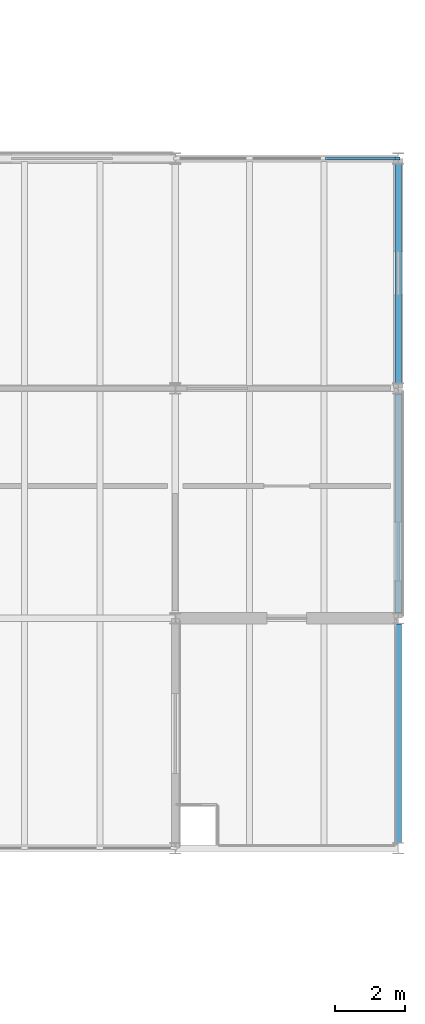
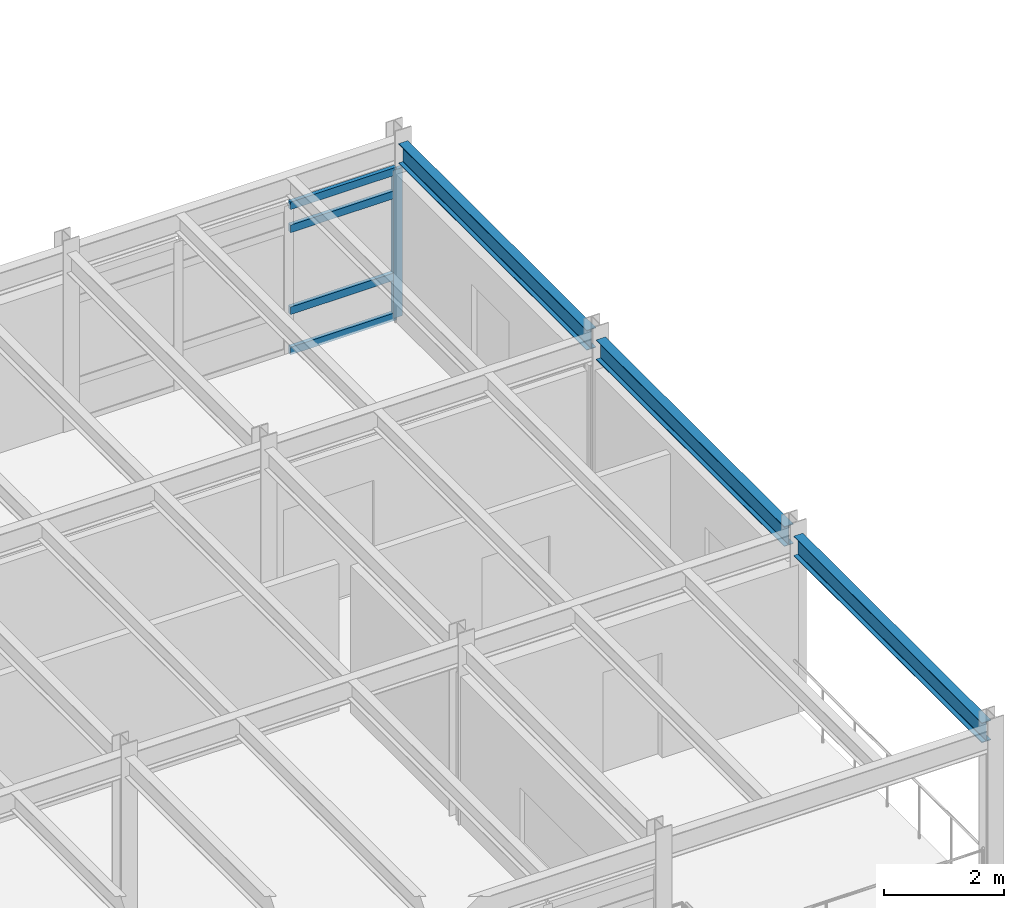
# One storey, part 25 of 49: 5 members, 3 beams, 1 element without a shape of its own.
"""IFC4 building model written with IfcOpenShell, lengths in metres."""

from ifc_helpers import new_model, si_unit, direction, frame, origin, origin_2d, place, context, subcontext, project, spatial, rectangle, i_section, extrude, material, layer, layer_set, material_profile, profile_set, type_object, element, aggregate, save


model = new_model("IFC4")

# Units and contexts
model_context = context("Model", 3, precision=1e-05, world=origin(), true_north=direction((0.0, 1.0)))
body_context = subcontext(model_context, "Body", "Model", "MODEL_VIEW")
ifc_project = project(units=[si_unit("LENGTHUNIT", "METRE"), si_unit("AREAUNIT", "SQUARE_METRE"), si_unit("VOLUMEUNIT", "CUBIC_METRE"), si_unit("PLANEANGLEUNIT", "RADIAN"), si_unit("MASSUNIT", "GRAM", prefix="KILO")], contexts=[model_context])

# Site, building, storey
site_placement = place(None, origin())
site = spatial("IfcSite", under=ifc_project, at=site_placement, CompositionType="ELEMENT")
building_placement = place(site_placement, origin())
building = spatial("IfcBuilding", under=site, at=building_placement, Name="Trelmorton Wharf Fire Station", CompositionType="ELEMENT")
storey_placement = place(building_placement, frame((0.0, 0.0, 9.60009765625)))
storey = spatial("IfcBuildingStorey", under=building, at=storey_placement, Name="L02", CompositionType="ELEMENT", Elevation=9.60009765625)

# Beams
ifc_material_1 = material(Name="Steel Grade 350", Category="steel")
ifc_material_profile_1 = material_profile(ifc_material_1, i_section(OverallWidth=0.177978515625, OverallDepth=0.406005859375, WebThickness=0.0078125, FlangeThickness=0.0126953125, FilletRadius=0.011474609375, at=origin_2d()), Name="410UB59.7")
ifc_profile_set_1 = profile_set([ifc_material_profile_1], Name="Steel Grade 350")
beam_type = type_object("IfcBeamType", Name="BM_410UB60", PredefinedType="BEAM", material=ifc_profile_set_1)
beam_placement = place(storey_placement, frame((162.39990234375, 7.95654296875, 3.427001953125), z_axis=(0.0, 1.0, 0.0), x_axis=(-1.0, 0.0, 0.0)))
element("IfcBeam", 1, at=beam_placement, inside=storey, type_object=beam_type, Name="BM-L02-0867", PredefinedType="BEAM", context=body_context, shape_type="SweptSolid", body=[
    extrude(i_section(OverallWidth=0.177978515625, OverallDepth=0.406005859375, WebThickness=0.0078125, FlangeThickness=0.0126953125, FilletRadius=0.011474609375, at=origin_2d()), origin(), (0.0, 0.0, 1.0), 6.286865234375),
])
for number, where, z_axis, x_axis, name in (
    (2, (162.39990234375, 14.556396484375, 3.427001953125), (0.0, 1.0, 0.0), (-1.0, 0.0, 0.0), "BM-L02-0868"),
    (3, (162.39990234375, 21.156494140625, 3.427001953125), (0.0, 1.0, 0.0), (-1.0, 0.0, 0.0), "BM-L02-0869"),
):
    element("IfcBeam", number, at=place(storey_placement, frame(where, z_axis=z_axis, x_axis=x_axis)), inside=storey, type_object=beam_type, Name=name, PredefinedType="BEAM", context=body_context, shape_type="SweptSolid", body=[
        extrude(i_section(OverallWidth=0.177978515625, OverallDepth=0.406005859375, WebThickness=0.0078125, FlangeThickness=0.0126953125, FilletRadius=0.011474609375, at=origin_2d()), origin(), (0.0, 0.0, 1.0), 6.287109375),
    ])

# Curtain wall, members
ifc_material_2 = material(Name="Anodised aluminium AW-6063", Category="aluminium")
ifc_layer = layer(ifc_material_2, 0.14990234375)
ifc_layer_set = layer_set([ifc_layer], Name="Anodised aluminium AW-6063")
curtain_wall_type = type_object("IfcCurtainWallType", Name="CW_UNIT_A", PredefinedType="USERDEFINED", material=ifc_layer_set)
curtain_wall_placement = place(storey_placement, origin())
curtain_wall = element("IfcCurtainWall", 4, at=curtain_wall_placement, inside=storey, type_object=curtain_wall_type, Name="CW-V5-L02-060", ObjectType="UNITISED CURTAIN WALL", PredefinedType="USERDEFINED")
ifc_material_profile_2 = material_profile(ifc_material_2, rectangle(XDim=0.074951171875, YDim=0.175048828125, at=origin_2d()), Name="ALU-75x175")
ifc_profile_set_2 = profile_set([ifc_material_profile_2], Name="Anodised aluminium AW-6063")
member_type_1 = type_object("IfcMemberType", Name="CWM_75x175", PredefinedType="MULLION", material=ifc_profile_set_2)
member_1_placement = place(storey_placement, frame((162.364990234375, 27.60009765625, 0.0), z_axis=(0.0, 0.0, 1.0), x_axis=(0.0, 1.0, 0.0)))
member_1 = element("IfcMember", 5, at=member_1_placement, type_object=member_type_1, Name="CW3 mullion 4", PredefinedType="MULLION", context=body_context, shape_type="SweptSolid", body=[
    extrude(rectangle(XDim=0.074951171875, YDim=0.175048828125, at=origin_2d()), origin(), (0.0, 0.0, 1.0), 3.02001953125),
])
ifc_material_profile_3 = material_profile(ifc_material_2, rectangle(XDim=0.074951171875, YDim=0.155029296875, at=origin_2d()), Name="ALU-75x155")
ifc_profile_set_3 = profile_set([ifc_material_profile_3], Name="Anodised aluminium AW-6063")
member_type_2 = type_object("IfcMemberType", Name="CWT_75x155", PredefinedType="USERDEFINED", material=ifc_profile_set_3)
member_2_placement = place(storey_placement, frame((160.294921875, 27.60009765625, 0.02978515625), z_axis=(1.0, 0.0, 0.0), x_axis=(0.0, 1.0, 0.0)))
member_2 = element("IfcMember", 6, at=member_2_placement, type_object=member_type_2, Name="CW3 transom 3.1", ObjectType="TRANSOM", PredefinedType="USERDEFINED", context=body_context, shape_type="SweptSolid", body=[
    extrude(rectangle(XDim=0.074951171875, YDim=0.155029296875, at=origin_2d()), origin(), (0.0, 0.0, 1.0), 2.0400390625),
])
member_3_placement = place(storey_placement, frame((160.294921875, 27.60009765625, 0.849853515625), z_axis=(1.0, 0.0, 0.0), x_axis=(0.0, 1.0, 0.0)))
member_3 = element("IfcMember", 7, at=member_3_placement, type_object=member_type_2, Name="CW3 transom 3.2", ObjectType="TRANSOM", PredefinedType="USERDEFINED", context=body_context, shape_type="SweptSolid", body=[
    extrude(rectangle(XDim=0.074951171875, YDim=0.155029296875, at=origin_2d()), origin(), (0.0, 0.0, 1.0), 2.0400390625),
])
member_4_placement = place(storey_placement, frame((160.294921875, 27.60009765625, 2.52001953125), z_axis=(1.0, 0.0, 0.0), x_axis=(0.0, 1.0, 0.0)))
member_4 = element("IfcMember", 8, at=member_4_placement, type_object=member_type_2, Name="CW3 transom 3.3", ObjectType="TRANSOM", PredefinedType="USERDEFINED", context=body_context, shape_type="SweptSolid", body=[
    extrude(rectangle(XDim=0.074951171875, YDim=0.155029296875, at=origin_2d()), origin(), (0.0, 0.0, 1.0), 2.0400390625),
])
member_5_placement = place(storey_placement, frame((160.294921875, 27.60009765625, 2.989990234375), z_axis=(1.0, 0.0, 0.0), x_axis=(0.0, 1.0, 0.0)))
member_5 = element("IfcMember", 9, at=member_5_placement, type_object=member_type_2, Name="CW3 transom 3.4", ObjectType="TRANSOM", PredefinedType="USERDEFINED", context=body_context, shape_type="SweptSolid", body=[
    extrude(rectangle(XDim=0.074951171875, YDim=0.155029296875, at=origin_2d()), origin(), (0.0, 0.0, 1.0), 2.0400390625),
])
aggregate(curtain_wall, [member_1, member_2, member_3, member_4, member_5])

save(model, "model.ifc")
